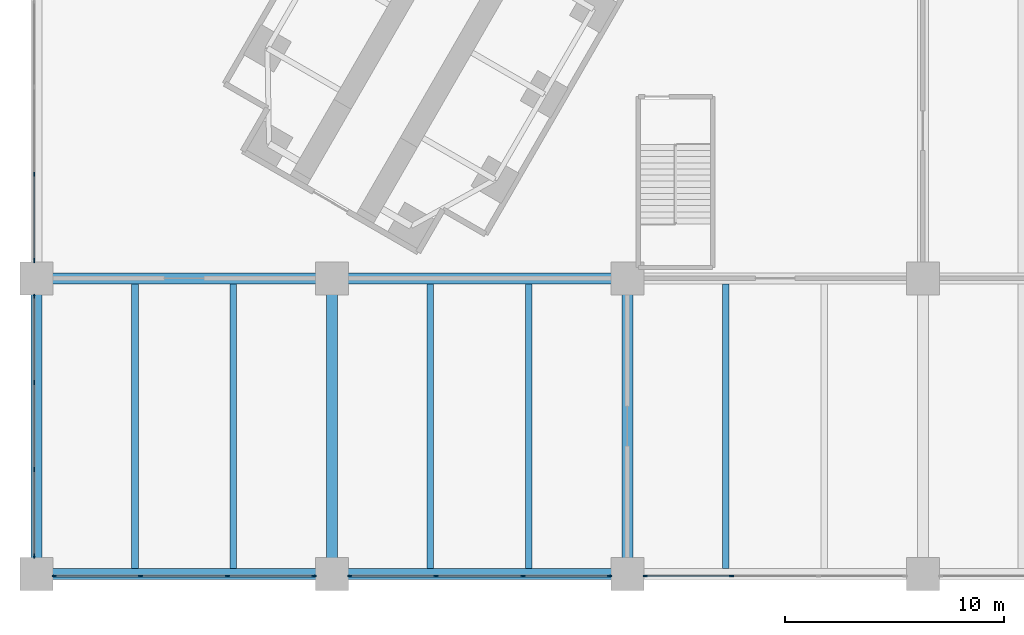
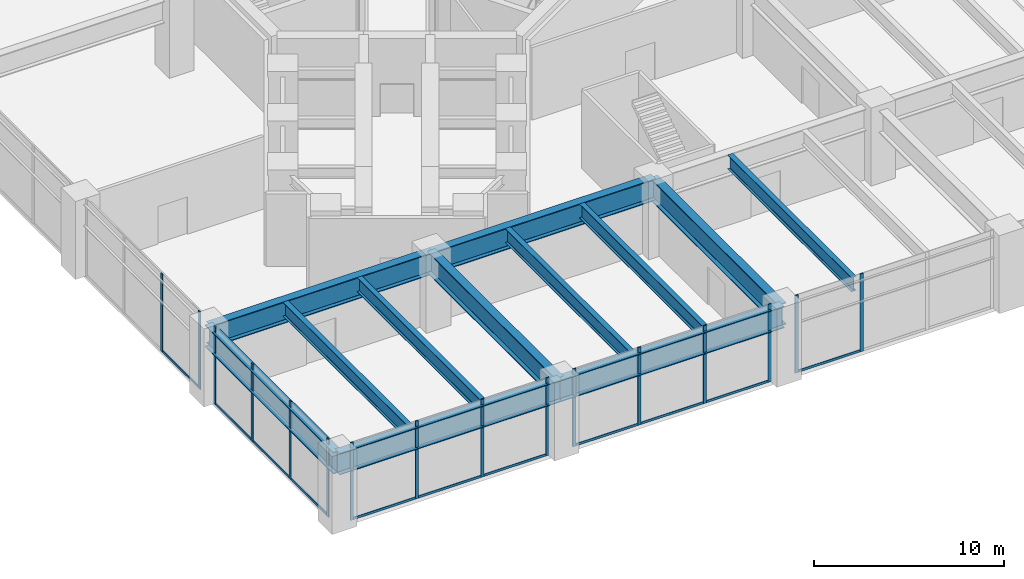
# One storey, part 2 of 32: 27 members, 12 beams, 5 elements without a shape of their own.
"""IFC4 building model written with IfcOpenShell, lengths in metres."""

from ifc_helpers import new_model, si_unit, direction, frame, origin, origin_2d, place, context, subcontext, project, spatial, rectangle, i_section, extrude, material, material_profile, profile_set, type_object, element, aggregate, save


model = new_model("IFC4")

# Units and contexts
model_context = context("Model", 3, precision=1e-05, world=origin(), true_north=direction((0.0, 1.0)))
body_context = subcontext(model_context, "Body", "Model", "MODEL_VIEW")
ifc_project = project(units=[si_unit("LENGTHUNIT", "METRE"), si_unit("AREAUNIT", "SQUARE_METRE"), si_unit("VOLUMEUNIT", "CUBIC_METRE"), si_unit("PLANEANGLEUNIT", "RADIAN"), si_unit("MASSUNIT", "GRAM", prefix="KILO")], contexts=[model_context])

# Site, building, storey
site_placement = place(None, origin())
site = spatial("IfcSite", under=ifc_project, at=site_placement, CompositionType="ELEMENT")
building_placement = place(site_placement, origin())
building = spatial("IfcBuilding", under=site, at=building_placement, Name="Upepo Twin Towers", CompositionType="ELEMENT")
storey_placement = place(building_placement, frame((0.0, 0.0, 10.5)))
storey = spatial("IfcBuildingStorey", under=building, at=storey_placement, Name="L02", CompositionType="ELEMENT", Elevation=10.5)

# Beams
ifc_material_1 = material(Name="Steel S355", Category="steel")
ifc_material_profile_1 = material_profile(ifc_material_1, i_section(OverallWidth=0.5, OverallDepth=1.39990234375, WebThickness=0.02490234375, FlangeThickness=0.050048828125, FilletRadius=0.008056640625, at=origin_2d()), Name="PG 1400x500x25x50")
ifc_profile_set_1 = profile_set([ifc_material_profile_1], Name="Steel S355")
beam_type_1 = type_object("IfcBeamType", Name="Beam PG 1400x500x25x50", PredefinedType="BEAM", material=ifc_profile_set_1)
for number, where, z_axis, x_axis, name in (
    (1, (-27.0, -40.5, 3.949951171875), (1.0, 0.0, 0.0), (0.0, 1.0, 0.0), "Podium girder A/1-2"),
    (2, (-13.5, -40.5, 3.949951171875), (1.0, 0.0, 0.0), (0.0, 1.0, 0.0), "Podium girder A/2-3"),
    (3, (-27.0, -27.0, 3.949951171875), (1.0, 0.0, 0.0), (0.0, 1.0, 0.0), "Podium girder B/1-2"),
    (4, (-13.5, -27.0, 3.949951171875), (1.0, 0.0, 0.0), (0.0, 1.0, 0.0), "Podium girder B/2-3"),
    (5, (-27.0, -40.5, 3.949951171875), (0.0, 1.0, 0.0), (-1.0, 0.0, 0.0), "Podium girder 1/A-B"),
    (6, (-13.5, -40.5, 3.949951171875), (0.0, 1.0, 0.0), (-1.0, 0.0, 0.0), "Podium girder 2/A-B"),
    (7, (0.0, -40.5, 3.949951171875), (0.0, 1.0, 0.0), (-1.0, 0.0, 0.0), "Podium girder 3/A-B"),
):
    element("IfcBeam", number, at=place(storey_placement, frame(where, z_axis=z_axis, x_axis=x_axis)), inside=storey, type_object=beam_type_1, Name=name, PredefinedType="BEAM", context=body_context, shape_type="SweptSolid", body=[
        extrude(i_section(OverallWidth=0.5, OverallDepth=1.39990234375, WebThickness=0.02490234375, FlangeThickness=0.050048828125, FilletRadius=0.008056640625, at=origin_2d()), origin(), (0.0, 0.0, 1.0), 13.5),
    ])

# Curtain wall, members
ifc_material_2 = material(Name="Aluminium and clear glass", Category="aluminium")
curtain_wall_type = type_object("IfcCurtainWallType", Name="Podium curtain wall PW1", PredefinedType="NOTDEFINED", material=ifc_material_2)
curtain_wall_1_placement = place(storey_placement, origin())
curtain_wall_1 = element("IfcCurtainWall", 8, at=curtain_wall_1_placement, inside=storey, type_object=curtain_wall_type, Name="Podium L02 curtain wall S1", PredefinedType="NOTDEFINED")
ifc_material_3 = material(Name="Aluminium mullion", Category="aluminium")
ifc_material_profile_2 = material_profile(ifc_material_3, rectangle(XDim=0.06494140625, YDim=0.199951171875, at=origin_2d()), Name="MULLION 65x200 PODIUM")
ifc_profile_set_2 = profile_set([ifc_material_profile_2], Name="Aluminium mullion")
member_type_1 = type_object("IfcMemberType", Name="Mullion 65x200 PW1", PredefinedType="MULLION", material=ifc_profile_set_2)
member_1_placement = place(storey_placement, frame((-26.1826171875, -40.60009765625, 0.0), z_axis=(0.0, 0.0, 1.0), x_axis=(0.0, 1.0, 0.0)))
member_1 = element("IfcMember", 9, at=member_1_placement, type_object=member_type_1, Name="Podium L02 curtain wall S1 mullion 1", PredefinedType="MULLION", context=body_context, shape_type="SweptSolid", body=[
    extrude(rectangle(XDim=0.06494140625, YDim=0.199951171875, at=origin_2d()), origin(), (0.0, 0.0, 1.0), 5.0),
])
member_2_placement = place(storey_placement, frame((-22.23828125, -40.60009765625, 0.0), z_axis=(0.0, 0.0, 1.0), x_axis=(0.0, 1.0, 0.0)))
member_2 = element("IfcMember", 10, at=member_2_placement, type_object=member_type_1, Name="Podium L02 curtain wall S1 mullion 2", PredefinedType="MULLION", context=body_context, shape_type="SweptSolid", body=[
    extrude(rectangle(XDim=0.06494140625, YDim=0.199951171875, at=origin_2d()), origin(), (0.0, 0.0, 1.0), 5.0),
])
member_3_placement = place(storey_placement, frame((-18.26171875, -40.60009765625, 0.0), z_axis=(0.0, 0.0, 1.0), x_axis=(0.0, 1.0, 0.0)))
member_3 = element("IfcMember", 11, at=member_3_placement, type_object=member_type_1, Name="Podium L02 curtain wall S1 mullion 3", PredefinedType="MULLION", context=body_context, shape_type="SweptSolid", body=[
    extrude(rectangle(XDim=0.06494140625, YDim=0.199951171875, at=origin_2d()), origin(), (0.0, 0.0, 1.0), 5.0),
])
member_4_placement = place(storey_placement, frame((-14.3173828125, -40.60009765625, 0.0), z_axis=(0.0, 0.0, 1.0), x_axis=(0.0, 1.0, 0.0)))
member_4 = element("IfcMember", 12, at=member_4_placement, type_object=member_type_1, Name="Podium L02 curtain wall S1 mullion 4", PredefinedType="MULLION", context=body_context, shape_type="SweptSolid", body=[
    extrude(rectangle(XDim=0.06494140625, YDim=0.199951171875, at=origin_2d()), origin(), (0.0, 0.0, 1.0), 5.0),
])

curtain_wall_2_placement = place(storey_placement, origin())
curtain_wall_2 = element("IfcCurtainWall", 13, at=curtain_wall_2_placement, inside=storey, type_object=curtain_wall_type, Name="Podium L02 curtain wall S2", PredefinedType="NOTDEFINED")
member_5_placement = place(storey_placement, frame((-12.6826171875, -40.60009765625, 0.0), z_axis=(0.0, 0.0, 1.0), x_axis=(0.0, 1.0, 0.0)))
member_5 = element("IfcMember", 14, at=member_5_placement, type_object=member_type_1, Name="Podium L02 curtain wall S2 mullion 1", PredefinedType="MULLION", context=body_context, shape_type="SweptSolid", body=[
    extrude(rectangle(XDim=0.06494140625, YDim=0.199951171875, at=origin_2d()), origin(), (0.0, 0.0, 1.0), 5.0),
])
member_6_placement = place(storey_placement, frame((-8.73828125, -40.60009765625, 0.0), z_axis=(0.0, 0.0, 1.0), x_axis=(0.0, 1.0, 0.0)))
member_6 = element("IfcMember", 15, at=member_6_placement, type_object=member_type_1, Name="Podium L02 curtain wall S2 mullion 2", PredefinedType="MULLION", context=body_context, shape_type="SweptSolid", body=[
    extrude(rectangle(XDim=0.06494140625, YDim=0.199951171875, at=origin_2d()), origin(), (0.0, 0.0, 1.0), 5.0),
])
member_7_placement = place(storey_placement, frame((-4.76171875, -40.60009765625, 0.0), z_axis=(0.0, 0.0, 1.0), x_axis=(0.0, 1.0, 0.0)))
member_7 = element("IfcMember", 16, at=member_7_placement, type_object=member_type_1, Name="Podium L02 curtain wall S2 mullion 3", PredefinedType="MULLION", context=body_context, shape_type="SweptSolid", body=[
    extrude(rectangle(XDim=0.06494140625, YDim=0.199951171875, at=origin_2d()), origin(), (0.0, 0.0, 1.0), 5.0),
])
member_8_placement = place(storey_placement, frame((-0.8173828125, -40.60009765625, 0.0), z_axis=(0.0, 0.0, 1.0), x_axis=(0.0, 1.0, 0.0)))
member_8 = element("IfcMember", 17, at=member_8_placement, type_object=member_type_1, Name="Podium L02 curtain wall S2 mullion 4", PredefinedType="MULLION", context=body_context, shape_type="SweptSolid", body=[
    extrude(rectangle(XDim=0.06494140625, YDim=0.199951171875, at=origin_2d()), origin(), (0.0, 0.0, 1.0), 5.0),
])

curtain_wall_3_placement = place(storey_placement, origin())
curtain_wall_3 = element("IfcCurtainWall", 18, at=curtain_wall_3_placement, inside=storey, type_object=curtain_wall_type, Name="Podium L02 curtain wall S3", PredefinedType="NOTDEFINED")
member_9_placement = place(storey_placement, frame((0.8173828125, -40.60009765625, 0.0), z_axis=(0.0, 0.0, 1.0), x_axis=(0.0, 1.0, 0.0)))
member_9 = element("IfcMember", 19, at=member_9_placement, type_object=member_type_1, Name="Podium L02 curtain wall S3 mullion 1", PredefinedType="MULLION", context=body_context, shape_type="SweptSolid", body=[
    extrude(rectangle(XDim=0.06494140625, YDim=0.199951171875, at=origin_2d()), origin(), (0.0, 0.0, 1.0), 5.0),
])
member_10_placement = place(storey_placement, frame((4.76171875, -40.60009765625, 0.0), z_axis=(0.0, 0.0, 1.0), x_axis=(0.0, 1.0, 0.0)))
member_10 = element("IfcMember", 20, at=member_10_placement, type_object=member_type_1, Name="Podium L02 curtain wall S3 mullion 2", PredefinedType="MULLION", context=body_context, shape_type="SweptSolid", body=[
    extrude(rectangle(XDim=0.06494140625, YDim=0.199951171875, at=origin_2d()), origin(), (0.0, 0.0, 1.0), 5.0),
])

curtain_wall_4_placement = place(storey_placement, origin())
curtain_wall_4 = element("IfcCurtainWall", 21, at=curtain_wall_4_placement, inside=storey, type_object=curtain_wall_type, Name="Podium L02 curtain wall W5", PredefinedType="NOTDEFINED")
member_11_placement = place(storey_placement, frame((-27.10009765625, -22.23828125, 0.0), z_axis=(0.0, 0.0, 1.0), x_axis=(1.0, 0.0, 0.0)))
member_11 = element("IfcMember", 22, at=member_11_placement, type_object=member_type_1, Name="Podium L02 curtain wall W5 mullion 3", PredefinedType="MULLION", context=body_context, shape_type="SweptSolid", body=[
    extrude(rectangle(XDim=0.06494140625, YDim=0.199951171875, at=origin_2d()), origin(), (0.0, 0.0, 1.0), 5.0),
])
member_12_placement = place(storey_placement, frame((-27.10009765625, -26.1826171875, 0.0), z_axis=(0.0, 0.0, 1.0), x_axis=(1.0, 0.0, 0.0)))
member_12 = element("IfcMember", 23, at=member_12_placement, type_object=member_type_1, Name="Podium L02 curtain wall W5 mullion 4", PredefinedType="MULLION", context=body_context, shape_type="SweptSolid", body=[
    extrude(rectangle(XDim=0.06494140625, YDim=0.199951171875, at=origin_2d()), origin(), (0.0, 0.0, 1.0), 5.0),
])

curtain_wall_5_placement = place(storey_placement, origin())
curtain_wall_5 = element("IfcCurtainWall", 24, at=curtain_wall_5_placement, inside=storey, type_object=curtain_wall_type, Name="Podium L02 curtain wall W6", PredefinedType="NOTDEFINED")
member_13_placement = place(storey_placement, frame((-27.10009765625, -27.8173828125, 0.0), z_axis=(0.0, 0.0, 1.0), x_axis=(1.0, 0.0, 0.0)))
member_13 = element("IfcMember", 25, at=member_13_placement, type_object=member_type_1, Name="Podium L02 curtain wall W6 mullion 1", PredefinedType="MULLION", context=body_context, shape_type="SweptSolid", body=[
    extrude(rectangle(XDim=0.06494140625, YDim=0.199951171875, at=origin_2d()), origin(), (0.0, 0.0, 1.0), 5.0),
])
member_14_placement = place(storey_placement, frame((-27.10009765625, -31.76171875, 0.0), z_axis=(0.0, 0.0, 1.0), x_axis=(1.0, 0.0, 0.0)))
member_14 = element("IfcMember", 26, at=member_14_placement, type_object=member_type_1, Name="Podium L02 curtain wall W6 mullion 2", PredefinedType="MULLION", context=body_context, shape_type="SweptSolid", body=[
    extrude(rectangle(XDim=0.06494140625, YDim=0.199951171875, at=origin_2d()), origin(), (0.0, 0.0, 1.0), 5.0),
])
member_15_placement = place(storey_placement, frame((-27.10009765625, -35.73828125, 0.0), z_axis=(0.0, 0.0, 1.0), x_axis=(1.0, 0.0, 0.0)))
member_15 = element("IfcMember", 27, at=member_15_placement, type_object=member_type_1, Name="Podium L02 curtain wall W6 mullion 3", PredefinedType="MULLION", context=body_context, shape_type="SweptSolid", body=[
    extrude(rectangle(XDim=0.06494140625, YDim=0.199951171875, at=origin_2d()), origin(), (0.0, 0.0, 1.0), 5.0),
])
member_16_placement = place(storey_placement, frame((-27.10009765625, -39.6826171875, 0.0), z_axis=(0.0, 0.0, 1.0), x_axis=(1.0, 0.0, 0.0)))
member_16 = element("IfcMember", 28, at=member_16_placement, type_object=member_type_1, Name="Podium L02 curtain wall W6 mullion 4", PredefinedType="MULLION", context=body_context, shape_type="SweptSolid", body=[
    extrude(rectangle(XDim=0.06494140625, YDim=0.199951171875, at=origin_2d()), origin(), (0.0, 0.0, 1.0), 5.0),
])

# Beams
ifc_material_4 = material(Name="Steel S355", Category="steel")
ifc_material_profile_3 = material_profile(ifc_material_4, i_section(OverallWidth=0.305419921875, OverallDepth=0.91845703125, WebThickness=0.017333984375, FlangeThickness=0.02783203125, FilletRadius=0.01904296875, at=origin_2d()), Name="UB 914x305x253")
ifc_profile_set_3 = profile_set([ifc_material_profile_3], Name="Steel S355")
beam_type_2 = type_object("IfcBeamType", Name="Secondary beam UB 914x305x253", PredefinedType="JOIST", material=ifc_profile_set_3)
for number, where, z_axis, x_axis, name in (
    (29, (-22.5, -40.25, 4.19091796875), (0.0, 1.0, 0.0), (-1.0, 0.0, 0.0), "Podium secondary beam A1.1"),
    (30, (-18.0, -40.25, 4.19091796875), (0.0, 1.0, 0.0), (-1.0, 0.0, 0.0), "Podium secondary beam A1.2"),
    (31, (-9.0, -40.25, 4.19091796875), (0.0, 1.0, 0.0), (-1.0, 0.0, 0.0), "Podium secondary beam A2.1"),
    (32, (-4.5, -40.25, 4.19091796875), (0.0, 1.0, 0.0), (-1.0, 0.0, 0.0), "Podium secondary beam A2.2"),
    (33, (4.5, -40.25, 4.19091796875), (0.0, 1.0, 0.0), (-1.0, 0.0, 0.0), "Podium secondary beam A3.1"),
):
    element("IfcBeam", number, at=place(storey_placement, frame(where, z_axis=z_axis, x_axis=x_axis)), inside=storey, type_object=beam_type_2, Name=name, PredefinedType="JOIST", context=body_context, shape_type="SweptSolid", body=[
        extrude(i_section(OverallWidth=0.305419921875, OverallDepth=0.91845703125, WebThickness=0.017333984375, FlangeThickness=0.02783203125, FilletRadius=0.01904296875, at=origin_2d()), origin(), (0.0, 0.0, 1.0), 13.0),
    ])

# Member
ifc_material_5 = material(Name="Aluminium transom", Category="aluminium")
ifc_material_profile_4 = material_profile(ifc_material_5, rectangle(XDim=0.06494140625, YDim=0.14990234375, at=origin_2d()), Name="TRANSOM 65x150 PODIUM")
ifc_profile_set_4 = profile_set([ifc_material_profile_4], Name="Aluminium transom")
member_type_2 = type_object("IfcMemberType", Name="Transom 65x150 PW1", PredefinedType="USERDEFINED", material=ifc_profile_set_4)
member_17_placement = place(storey_placement, frame((-26.14990234375, -40.60009765625, 0.074951171875), z_axis=(1.0, 0.0, 0.0), x_axis=(0.0, 1.0, 0.0)))
member_17 = element("IfcMember", 34, at=member_17_placement, type_object=member_type_2, Name="Podium L02 curtain wall S1 transom 1", ObjectType="TRANSOM", PredefinedType="USERDEFINED", context=body_context, shape_type="SweptSolid", body=[
    extrude(rectangle(XDim=0.06494140625, YDim=0.14990234375, at=origin_2d()), origin(), (0.0, 0.0, 1.0), 3.879150390625),
])

member_18_placement = place(storey_placement, frame((-22.205810546875, -40.60009765625, 0.074951171875), z_axis=(1.0, 0.0, 0.0), x_axis=(0.0, 1.0, 0.0)))
member_18 = element("IfcMember", 35, at=member_18_placement, type_object=member_type_2, Name="Podium L02 curtain wall S1 transom 2", ObjectType="TRANSOM", PredefinedType="USERDEFINED", context=body_context, shape_type="SweptSolid", body=[
    extrude(rectangle(XDim=0.06494140625, YDim=0.14990234375, at=origin_2d()), origin(), (0.0, 0.0, 1.0), 3.91162109375),
])

member_19_placement = place(storey_placement, frame((-18.229248046875, -40.60009765625, 0.074951171875), z_axis=(1.0, 0.0, 0.0), x_axis=(0.0, 1.0, 0.0)))
member_19 = element("IfcMember", 36, at=member_19_placement, type_object=member_type_2, Name="Podium L02 curtain wall S1 transom 3", ObjectType="TRANSOM", PredefinedType="USERDEFINED", context=body_context, shape_type="SweptSolid", body=[
    extrude(rectangle(XDim=0.06494140625, YDim=0.14990234375, at=origin_2d()), origin(), (0.0, 0.0, 1.0), 3.879150390625),
])

aggregate(curtain_wall_1, [member_1, member_2, member_3, member_4, member_17, member_18, member_19])

member_20_placement = place(storey_placement, frame((-12.64990234375, -40.60009765625, 0.074951171875), z_axis=(1.0, 0.0, 0.0), x_axis=(0.0, 1.0, 0.0)))
member_20 = element("IfcMember", 37, at=member_20_placement, type_object=member_type_2, Name="Podium L02 curtain wall S2 transom 1", ObjectType="TRANSOM", PredefinedType="USERDEFINED", context=body_context, shape_type="SweptSolid", body=[
    extrude(rectangle(XDim=0.06494140625, YDim=0.14990234375, at=origin_2d()), origin(), (0.0, 0.0, 1.0), 3.879150390625),
])

member_21_placement = place(storey_placement, frame((-8.705810546875, -40.60009765625, 0.074951171875), z_axis=(1.0, 0.0, 0.0), x_axis=(0.0, 1.0, 0.0)))
member_21 = element("IfcMember", 38, at=member_21_placement, type_object=member_type_2, Name="Podium L02 curtain wall S2 transom 2", ObjectType="TRANSOM", PredefinedType="USERDEFINED", context=body_context, shape_type="SweptSolid", body=[
    extrude(rectangle(XDim=0.06494140625, YDim=0.14990234375, at=origin_2d()), origin(), (0.0, 0.0, 1.0), 3.91162109375),
])

member_22_placement = place(storey_placement, frame((-4.729248046875, -40.60009765625, 0.074951171875), z_axis=(1.0, 0.0, 0.0), x_axis=(0.0, 1.0, 0.0)))
member_22 = element("IfcMember", 39, at=member_22_placement, type_object=member_type_2, Name="Podium L02 curtain wall S2 transom 3", ObjectType="TRANSOM", PredefinedType="USERDEFINED", context=body_context, shape_type="SweptSolid", body=[
    extrude(rectangle(XDim=0.06494140625, YDim=0.14990234375, at=origin_2d()), origin(), (0.0, 0.0, 1.0), 3.879150390625),
])

aggregate(curtain_wall_2, [member_5, member_6, member_7, member_8, member_20, member_21, member_22])

member_23_placement = place(storey_placement, frame((0.85009765625, -40.60009765625, 0.074951171875), z_axis=(1.0, 0.0, 0.0), x_axis=(0.0, 1.0, 0.0)))
member_23 = element("IfcMember", 40, at=member_23_placement, type_object=member_type_2, Name="Podium L02 curtain wall S3 transom 1", ObjectType="TRANSOM", PredefinedType="USERDEFINED", context=body_context, shape_type="SweptSolid", body=[
    extrude(rectangle(XDim=0.06494140625, YDim=0.14990234375, at=origin_2d()), origin(), (0.0, 0.0, 1.0), 3.879150390625),
])

aggregate(curtain_wall_3, [member_9, member_10, member_23])

member_24_placement = place(storey_placement, frame((-27.10009765625, -22.270751953125, 0.074951171875), z_axis=(0.0, -1.0, 0.0), x_axis=(1.0, 0.0, 0.0)))
member_24 = element("IfcMember", 41, at=member_24_placement, type_object=member_type_2, Name="Podium L02 curtain wall W5 transom 3", ObjectType="TRANSOM", PredefinedType="USERDEFINED", context=body_context, shape_type="SweptSolid", body=[
    extrude(rectangle(XDim=0.06494140625, YDim=0.14990234375, at=origin_2d()), origin(), (0.0, 0.0, 1.0), 3.879150390625),
])

aggregate(curtain_wall_4, [member_11, member_12, member_24])

member_25_placement = place(storey_placement, frame((-27.10009765625, -27.85009765625, 0.074951171875), z_axis=(0.0, -1.0, 0.0), x_axis=(1.0, 0.0, 0.0)))
member_25 = element("IfcMember", 42, at=member_25_placement, type_object=member_type_2, Name="Podium L02 curtain wall W6 transom 1", ObjectType="TRANSOM", PredefinedType="USERDEFINED", context=body_context, shape_type="SweptSolid", body=[
    extrude(rectangle(XDim=0.06494140625, YDim=0.14990234375, at=origin_2d()), origin(), (0.0, 0.0, 1.0), 3.879150390625),
])

member_26_placement = place(storey_placement, frame((-27.10009765625, -31.794189453125, 0.074951171875), z_axis=(0.0, -1.0, 0.0), x_axis=(1.0, 0.0, 0.0)))
member_26 = element("IfcMember", 43, at=member_26_placement, type_object=member_type_2, Name="Podium L02 curtain wall W6 transom 2", ObjectType="TRANSOM", PredefinedType="USERDEFINED", context=body_context, shape_type="SweptSolid", body=[
    extrude(rectangle(XDim=0.06494140625, YDim=0.14990234375, at=origin_2d()), origin(), (0.0, 0.0, 1.0), 3.91162109375),
])

member_27_placement = place(storey_placement, frame((-27.10009765625, -35.770751953125, 0.074951171875), z_axis=(0.0, -1.0, 0.0), x_axis=(1.0, 0.0, 0.0)))
member_27 = element("IfcMember", 44, at=member_27_placement, type_object=member_type_2, Name="Podium L02 curtain wall W6 transom 3", ObjectType="TRANSOM", PredefinedType="USERDEFINED", context=body_context, shape_type="SweptSolid", body=[
    extrude(rectangle(XDim=0.06494140625, YDim=0.14990234375, at=origin_2d()), origin(), (0.0, 0.0, 1.0), 3.879150390625),
])

aggregate(curtain_wall_5, [member_13, member_14, member_15, member_16, member_25, member_26, member_27])

save(model, "model.ifc")
